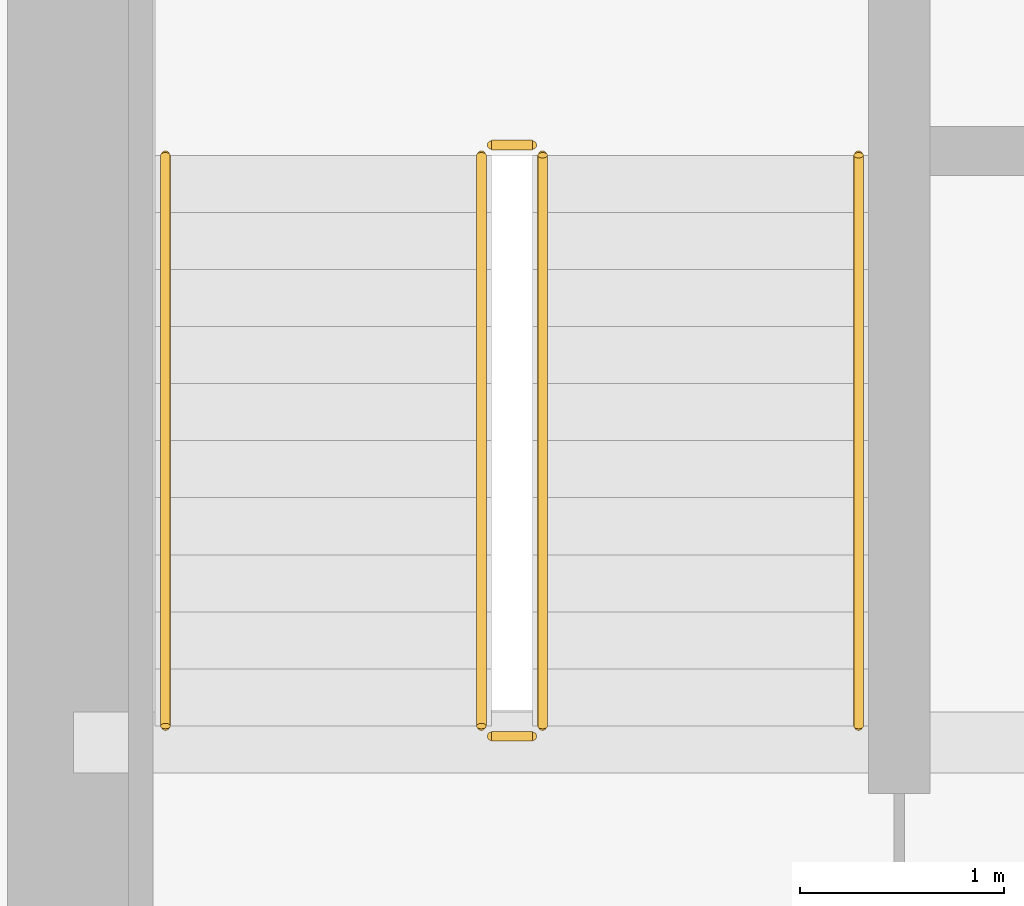
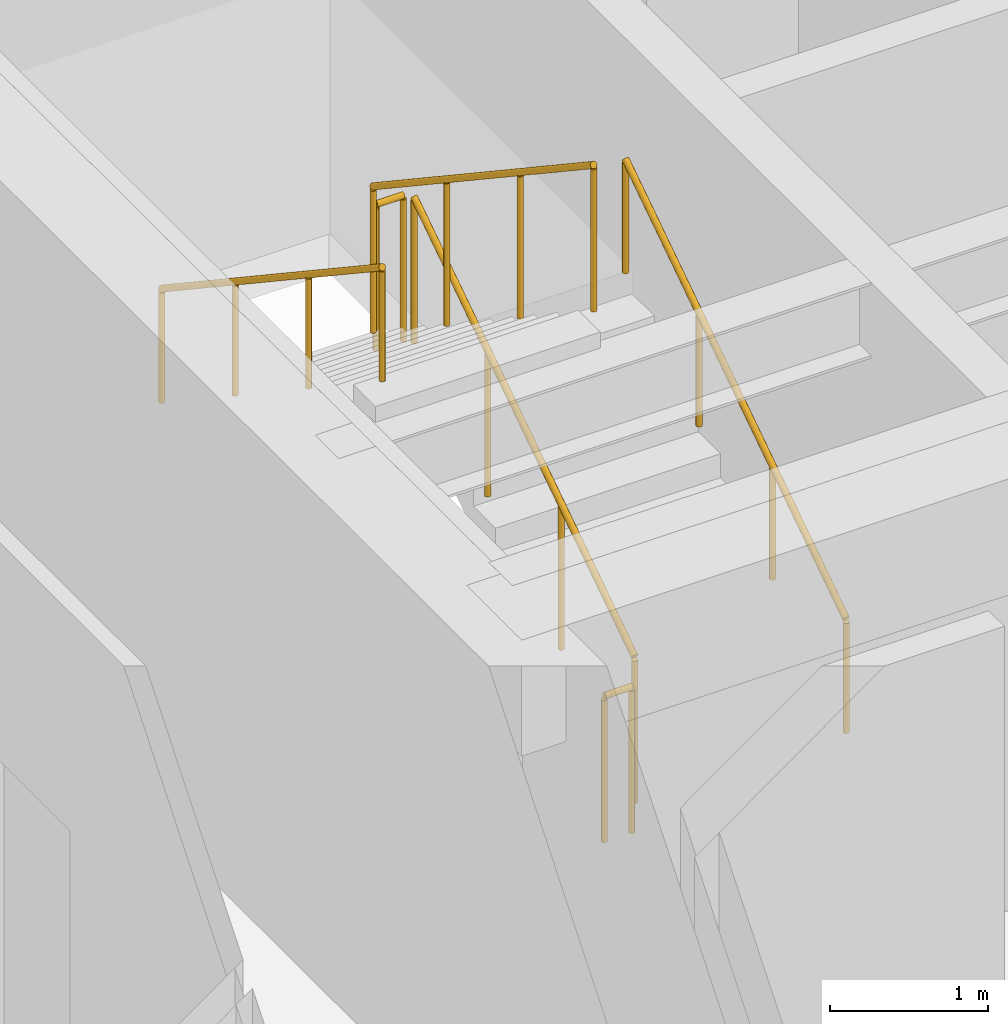
# One storey, part 30 of 31: 6 railings.
"""IFC4 building model written with IfcOpenShell, lengths in metres."""

import ifcopenshell
import ifcopenshell.guid

model = None  # the IFC model being written
_history = None  # IfcOwnerHistory: only IFC2X3 demands one
_inside = {}  # id of a spatial element -> (the spatial element, [elements in it])
_under = {}  # id of a project, library or spatial element -> (it, [spatial elements below it])
_declared = {}  # id of a project -> (the project, [libraries it declares])
_typed = {}  # id of a type object -> (the type object, [elements of that type])
_made_of = {}  # id of a material, layer set ... -> (it, [elements and type objects made of it])


def new_model(schema):
    """Start an empty IFC model of exactly this schema.

    Asked for "IFC4X3", IfcOpenShell would pick the latest addendum, in which some entities
    have other attributes; the version numbers below select the first issue.
    IFC2X3 requires an IfcOwnerHistory on every rooted entity: one is made here for all.
    """
    global model, _history
    if schema == "IFC4X3":
        model = ifcopenshell.file(schema_version=(4, 3, 0, 0))
    else:
        model = ifcopenshell.file(schema=schema)
    _inside.clear()
    _under.clear()
    _declared.clear()
    _typed.clear()
    _made_of.clear()
    _history = None
    if model.schema == "IFC2X3":
        org = make("IfcOrganization", Name="unknown")
        user = make(
            "IfcPersonAndOrganization",
            ThePerson=make("IfcPerson", FamilyName="unknown"),
            TheOrganization=org,
        )
        app = make(
            "IfcApplication",
            ApplicationDeveloper=org,
            Version="unknown",
            ApplicationFullName="unknown",
            ApplicationIdentifier="unknown",
        )
        _history = make(
            "IfcOwnerHistory",
            OwningUser=user,
            OwningApplication=app,
            ChangeAction="ADDED",
            CreationDate=0,
        )
    return model


def make(cls, **values):
    """One entity of the class cls with the attributes given. An attribute that is None is left unset."""
    return model.create_entity(
        cls, **{name: value for name, value in values.items() if value is not None}
    )


def rooted(cls, **values):
    """An entity with a GlobalId (a new one), such as an element, a storey or a relation."""
    return make(cls, GlobalId=ifcopenshell.guid.new(), OwnerHistory=_history, **values)


def si_unit(unit_type, name, prefix=None):
    """IfcSIUnit, for example si_unit("LENGTHUNIT", "METRE", prefix="MILLI")."""
    return make("IfcSIUnit", UnitType=unit_type, Prefix=prefix, Name=name)


def assignment(units):
    """IfcUnitAssignment: the units of a project."""
    return None if units is None else make("IfcUnitAssignment", Units=units)


def point(xyz):
    """IfcCartesianPoint."""
    return None if xyz is None else make("IfcCartesianPoint", Coordinates=xyz)


def direction(xyz):
    """IfcDirection."""
    return None if xyz is None else make("IfcDirection", DirectionRatios=xyz)


def frame(location, z_axis=None, x_axis=None):
    """IfcAxis2Placement3D, a coordinate frame: its origin and axes. An axis left out is left unset."""
    return make(
        "IfcAxis2Placement3D",
        Location=point(location),
        Axis=direction(z_axis),
        RefDirection=direction(x_axis),
    )


def frame_2d(location, x_axis=None):
    """IfcAxis2Placement2D, a coordinate frame in the plane: its origin and x axis."""
    return make(
        "IfcAxis2Placement2D", Location=point(location), RefDirection=direction(x_axis)
    )


def origin():
    """The frame at (0, 0, 0) with its axes left unset."""
    return frame((0.0, 0.0, 0.0))


def origin_2d():
    """The frame at (0, 0) in the plane with its x axis left unset."""
    return frame_2d((0.0, 0.0))


def place(relative_to, where):
    """IfcLocalPlacement: puts the frame where relative to a parent placement (None: the world)."""
    return make(
        "IfcLocalPlacement", PlacementRelTo=relative_to, RelativePlacement=where
    )


def context(
    kind, dimensions, precision=None, world=None, true_north=None, identifier=None
):
    """IfcGeometricRepresentationContext, for example the 3D "Model" context."""
    return make(
        "IfcGeometricRepresentationContext",
        ContextIdentifier=identifier,
        ContextType=kind,
        CoordinateSpaceDimension=dimensions,
        Precision=precision,
        WorldCoordinateSystem=world,
        TrueNorth=true_north,
    )


def subcontext(parent, identifier, kind, view, scale=None):
    """IfcGeometricRepresentationSubContext, for example "Body" below "Model"."""
    return make(
        "IfcGeometricRepresentationSubContext",
        ContextIdentifier=identifier,
        ContextType=kind,
        ParentContext=parent,
        TargetScale=scale,
        TargetView=view,
    )


def project(units=None, contexts=None):
    """IfcProject with its units and contexts."""
    return rooted(
        "IfcProject",
        Name="project",
        RepresentationContexts=contexts,
        UnitsInContext=assignment(units),
    )


def spatial(cls, under=None, at=None, **own):
    """A site, building, storey or space (cls), placed at a placement, below another one or the project."""
    s = rooted(cls, ObjectPlacement=at, **own)
    if under is not None:
        _under.setdefault(under.id(), (under, []))[1].append(s)
    return s


def profile(cls, at=None, kind="AREA", **sizes):
    """A parametric profile (cls). Its sizes go by their IFC names, for example OverallWidth=200.0."""
    return make(cls, ProfileType=kind, Position=at, **sizes)


def circle(**sizes):
    """IfcCircleProfileDef."""
    return profile("IfcCircleProfileDef", **sizes)


def extrude(swept, where, along, depth):
    """IfcExtrudedAreaSolid: the profile swept, set in the frame where, extruded along a direction by depth."""
    return make(
        "IfcExtrudedAreaSolid",
        SweptArea=swept,
        Position=where,
        ExtrudedDirection=direction(along),
        Depth=depth,
    )


def shape(context_of_items, identifier, shape_type, items):
    """IfcShapeRepresentation: the items that make up one representation, for example the "Body"."""
    return make(
        "IfcShapeRepresentation",
        ContextOfItems=context_of_items,
        RepresentationIdentifier=identifier,
        RepresentationType=shape_type,
        Items=items,
    )


def source(mapping_origin, context_of_items, identifier, shape_type, items):
    """IfcRepresentationMap: a shape defined once, which mapped items show again and again."""
    return make(
        "IfcRepresentationMap",
        MappingOrigin=mapping_origin,
        MappedRepresentation=shape(context_of_items, identifier, shape_type, items),
    )


def transform(
    local_origin,
    x_axis=None,
    y_axis=None,
    z_axis=None,
    scale=None,
    scale2=None,
    scale3=None,
    uniform=True,
):
    """IfcCartesianTransformationOperator3D, or its non-uniform kind. x_axis, y_axis, z_axis: its Axis1, 2, 3."""
    if uniform:
        return make(
            "IfcCartesianTransformationOperator3D",
            Axis1=direction(x_axis),
            Axis2=direction(y_axis),
            LocalOrigin=point(local_origin),
            Scale=scale,
            Axis3=direction(z_axis),
        )
    return make(
        "IfcCartesianTransformationOperator3DnonUniform",
        Axis1=direction(x_axis),
        Axis2=direction(y_axis),
        LocalOrigin=point(local_origin),
        Scale=scale,
        Axis3=direction(z_axis),
        Scale2=scale2,
        Scale3=scale3,
    )


def mapped(mapping_source, mapping_target):
    """IfcMappedItem: shows the shape of a source again, moved by a transform."""
    return make(
        "IfcMappedItem", MappingSource=mapping_source, MappingTarget=mapping_target
    )


def material(Name=None, Category=None):
    """IfcMaterial."""
    return make("IfcMaterial", Name=Name, Category=Category)


def made_of(thing, what):
    """Note that an element or type object is made of a material, layer set ...; save() writes the relation."""
    if what is not None:
        _made_of.setdefault(what.id(), (what, []))[1].append(thing)
    return thing


def type_object(cls, material=None, **own):
    """A type object (cls), such as IfcWallType, which elements share."""
    return made_of(rooted(cls, **own), material)


def type_shapes(of_type, sources):
    """Give a type object the sources (RepresentationMaps) that its elements show as mapped items."""
    of_type.RepresentationMaps = sources


def element(
    cls,
    number,
    at=None,
    inside=None,
    cuts=None,
    type_object=None,
    material=None,
    context=None,
    identifier="Body",
    shape_type=None,
    held_by="IfcProductDefinitionShape",
    body=None,
    shapes=None,
    **own,
):
    """One element of the class cls, such as IfcWall. Its Tag is "e" and its number.

    at: its placement. inside: the storey or other place that contains it. cuts: it is an
    opening in that element (IfcRelVoidsElement). A single representation is given by context,
    identifier, shape_type and body (its items); several are given by shapes. held_by: the class
    of the entity that holds the representations. save() writes the other relations.
    """
    e = rooted(cls, Tag="e%d" % number, ObjectPlacement=at, **own)
    if body is not None:
        shapes = [shape(context, identifier, shape_type, body)]
    if shapes is not None:
        e.Representation = make(held_by, Representations=shapes)
    if inside is not None:
        _inside.setdefault(inside.id(), (inside, []))[1].append(e)
    if cuts is not None:
        rooted(
            "IfcRelVoidsElement", RelatingBuildingElement=cuts, RelatedOpeningElement=e
        )
    if type_object is not None:
        _typed.setdefault(type_object.id(), (type_object, []))[1].append(e)
    return made_of(e, material)


def aggregate(whole, parts):
    """IfcRelAggregates: a whole, such as a stair, and the parts it consists of."""
    return rooted("IfcRelAggregates", RelatingObject=whole, RelatedObjects=parts)


def save(model, path):
    """Write the relations noted so far, then the file.

    IfcRelAggregates (storeys below a building ...), IfcRelContainedInSpatialStructure (elements
    in a storey), IfcRelDefinesByType, IfcRelAssociatesMaterial and IfcRelDeclares: one each for
    every whole, place, type object, material and project.
    """
    for whole, parts in _under.values():
        aggregate(whole, parts)
    for where, things in _inside.values():
        rooted(
            "IfcRelContainedInSpatialStructure",
            RelatedElements=things,
            RelatingStructure=where,
        )
    for kind, things in _typed.values():
        rooted("IfcRelDefinesByType", RelatedObjects=things, RelatingType=kind)
    for what, things in _made_of.values():
        rooted("IfcRelAssociatesMaterial", RelatedObjects=things, RelatingMaterial=what)
    for by, libraries in _declared.values():
        rooted("IfcRelDeclares", RelatingContext=by, RelatedDefinitions=libraries)
    model.write(path)


model = new_model("IFC4")

# Units and contexts
model_context = context("Model", 3, precision=1e-05, world=origin(), true_north=direction((0.0, 1.0)))
body_context = subcontext(model_context, "Body", "Model", "MODEL_VIEW")
ifc_project = project(units=[si_unit("LENGTHUNIT", "METRE"), si_unit("AREAUNIT", "SQUARE_METRE"), si_unit("VOLUMEUNIT", "CUBIC_METRE"), si_unit("PLANEANGLEUNIT", "RADIAN"), si_unit("MASSUNIT", "GRAM", prefix="KILO")], contexts=[model_context])

# Site, building, storey
site_placement = place(None, origin())
site = spatial("IfcSite", under=ifc_project, at=site_placement, CompositionType="ELEMENT")
building_placement = place(site_placement, origin())
building = spatial("IfcBuilding", under=site, at=building_placement, Name="Haelvirn Gate Laboratories", CompositionType="ELEMENT")
storey_placement = place(building_placement, frame((0.0, 0.0, 150.199951171875)))
storey = spatial("IfcBuildingStorey", under=building, at=storey_placement, Name="L36", CompositionType="ELEMENT", Elevation=150.199951171875)

# Railings
ifc_material_1 = material(Name="Galvanised steel SM355 & stainless top rail", Category="steel")
railing_type_1 = type_object("IfcRailingType", Name="RL-GUARD-1150", PredefinedType="GUARDRAIL", material=ifc_material_1)
shared_shape_1 = source(origin(), body_context, "Body", "SweptSolid", [
    extrude(circle(Radius=0.02392578125, at=origin_2d()), frame((0.0, 0.0, 1.1259765625), z_axis=(-1.0, 0.0, 0.0), x_axis=(0.0, -1.0, 0.0)), (0.0, 0.0, 1.0), 0.199951171875),
    extrude(circle(Radius=0.02099609375, at=origin_2d()), origin(), (0.0, 0.0, 1.0), 1.101806640625),
    extrude(circle(Radius=0.02099609375, at=origin_2d()), frame((-0.199951171875, 0.0, 0.0)), (0.0, 0.0, 1.0), 1.101806640625),
])
for number, where, name in (
    (1, (9.64990234375, 29.550048828125, 2.050048828125), "L36 ST1 stair guard 2"),
    (2, (9.64990234375, 26.64990234375, 0.0), "L36 ST1 stair guard 4"),
):
    element("IfcRailing", number, at=place(storey_placement, frame(where)), inside=storey, type_object=railing_type_1, Name=name, PredefinedType="GUARDRAIL", context=body_context, shape_type="MappedRepresentation", body=[
        mapped(shared_shape_1, transform((0.0, 0.0, 0.0), scale=1.0)),
    ])
shared_shape_2 = source(origin(), body_context, "Body", "SweptSolid", [
    extrude(circle(Radius=0.02392578125, at=origin_2d()), frame((0.0, 0.0, 1.1259765625), z_axis=(0.0, 0.832485552168, 0.554046753832), x_axis=(-1.0, 0.0, 0.0)), (0.0, 0.0, 1.0), 3.363525390625),
    extrude(circle(Radius=0.02099609375, at=origin_2d()), origin(), (0.0, 0.0, 1.0), 1.101806640625),
    extrude(circle(Radius=0.02099609375, at=origin_2d()), frame((0.0, 0.933349609375, 0.62109375)), (0.0, 0.0, 1.0), 1.101806640625),
    extrude(circle(Radius=0.02099609375, at=origin_2d()), frame((0.0, 1.86669921875, 1.242431640625)), (0.0, 0.0, 1.0), 1.101806640625),
    extrude(circle(Radius=0.02099609375, at=origin_2d()), frame((0.0, 2.800048828125, 1.863525390625)), (0.0, 0.0, 1.0), 1.101806640625),
])
railing_1_placement = place(storey_placement, frame((9.699951171875, 26.699951171875, 0.1865234375)))
element("IfcRailing", 3, at=railing_1_placement, inside=storey, type_object=railing_type_1, Name="L36 ST1 stair guard 1", PredefinedType="GUARDRAIL", context=body_context, shape_type="MappedRepresentation", body=[
    mapped(shared_shape_2, transform((0.0, 0.0, 0.0), scale=1.0)),
])
shared_shape_3 = source(origin(), body_context, "Body", "SweptSolid", [
    extrude(circle(Radius=0.02392578125, at=origin_2d()), frame((0.0, 0.0, 1.1259765625), z_axis=(0.0, -0.832452072856, 0.554097055034), x_axis=(1.0, 0.0, 0.0)), (0.0, 0.0, 1.0), 3.363525390625),
    extrude(circle(Radius=0.02099609375, at=origin_2d()), origin(), (0.0, 0.0, 1.0), 1.101806640625),
    extrude(circle(Radius=0.02099609375, at=origin_2d()), frame((0.0, -0.933349609375, 0.621337890625)), (0.0, 0.0, 1.0), 1.101806640625),
    extrude(circle(Radius=0.02099609375, at=origin_2d()), frame((0.0, -1.86669921875, 1.242431640625)), (0.0, 0.0, 1.0), 1.101806640625),
    extrude(circle(Radius=0.02099609375, at=origin_2d()), frame((0.0, -2.800048828125, 1.86376953125)), (0.0, 0.0, 1.0), 1.101806640625),
])
type_shapes(railing_type_1, [shared_shape_1, shared_shape_2, shared_shape_3])
railing_2_placement = place(storey_placement, frame((9.39990234375, 29.5, 2.236328125)))
element("IfcRailing", 4, at=railing_2_placement, inside=storey, type_object=railing_type_1, Name="L36 ST1 stair guard 3", PredefinedType="GUARDRAIL", context=body_context, shape_type="MappedRepresentation", body=[
    mapped(shared_shape_3, transform((0.0, 0.0, 0.0), scale=1.0)),
])
ifc_material_2 = material(Name="Brushed stainless steel 316L", Category="steel")
railing_type_2 = type_object("IfcRailingType", Name="RL-HAND-920", PredefinedType="HANDRAIL", material=ifc_material_2)
shared_shape_4 = source(origin(), body_context, "Body", "SweptSolid", [
    extrude(circle(Radius=0.02392578125, at=origin_2d()), frame((0.0, 0.0, 0.8759765625), z_axis=(0.0, 0.832485552168, 0.554046753832), x_axis=(-1.0, 0.0, 0.0)), (0.0, 0.0, 1.0), 3.363525390625),
    extrude(circle(Radius=0.02099609375, at=origin_2d()), origin(), (0.0, 0.0, 1.0), 0.851806640625),
    extrude(circle(Radius=0.02099609375, at=origin_2d()), frame((0.0, 0.933349609375, 0.62109375)), (0.0, 0.0, 1.0), 0.851806640625),
    extrude(circle(Radius=0.02099609375, at=origin_2d()), frame((0.0, 1.86669921875, 1.242431640625)), (0.0, 0.0, 1.0), 0.851806640625),
    extrude(circle(Radius=0.02099609375, at=origin_2d()), frame((0.0, 2.800048828125, 1.863525390625)), (0.0, 0.0, 1.0), 0.851806640625),
])
railing_3_placement = place(storey_placement, frame((11.25, 26.699951171875, 0.1865234375)))
element("IfcRailing", 5, at=railing_3_placement, inside=storey, type_object=railing_type_2, Name="L36 ST1 stair handrail 1", PredefinedType="HANDRAIL", context=body_context, shape_type="MappedRepresentation", body=[
    mapped(shared_shape_4, transform((0.0, 0.0, 0.0), scale=1.0)),
])
shared_shape_5 = source(origin(), body_context, "Body", "SweptSolid", [
    extrude(circle(Radius=0.02392578125, at=origin_2d()), frame((0.0, 0.0, 0.8759765625), z_axis=(0.0, -0.832452072856, 0.554097055034), x_axis=(1.0, 0.0, 0.0)), (0.0, 0.0, 1.0), 3.363525390625),
    extrude(circle(Radius=0.02099609375, at=origin_2d()), origin(), (0.0, 0.0, 1.0), 0.851806640625),
    extrude(circle(Radius=0.02099609375, at=origin_2d()), frame((0.0, -0.933349609375, 0.621337890625)), (0.0, 0.0, 1.0), 0.851806640625),
    extrude(circle(Radius=0.02099609375, at=origin_2d()), frame((0.0, -1.86669921875, 1.242431640625)), (0.0, 0.0, 1.0), 0.851806640625),
    extrude(circle(Radius=0.02099609375, at=origin_2d()), frame((0.0, -2.800048828125, 1.86376953125)), (0.0, 0.0, 1.0), 0.851806640625),
])
type_shapes(railing_type_2, [shared_shape_4, shared_shape_5])
railing_4_placement = place(storey_placement, frame((7.85009765625, 29.5, 2.236328125)))
element("IfcRailing", 6, at=railing_4_placement, inside=storey, type_object=railing_type_2, Name="L36 ST1 stair handrail 2", PredefinedType="HANDRAIL", context=body_context, shape_type="MappedRepresentation", body=[
    mapped(shared_shape_5, transform((0.0, 0.0, 0.0), scale=1.0)),
])

save(model, "model.ifc")
